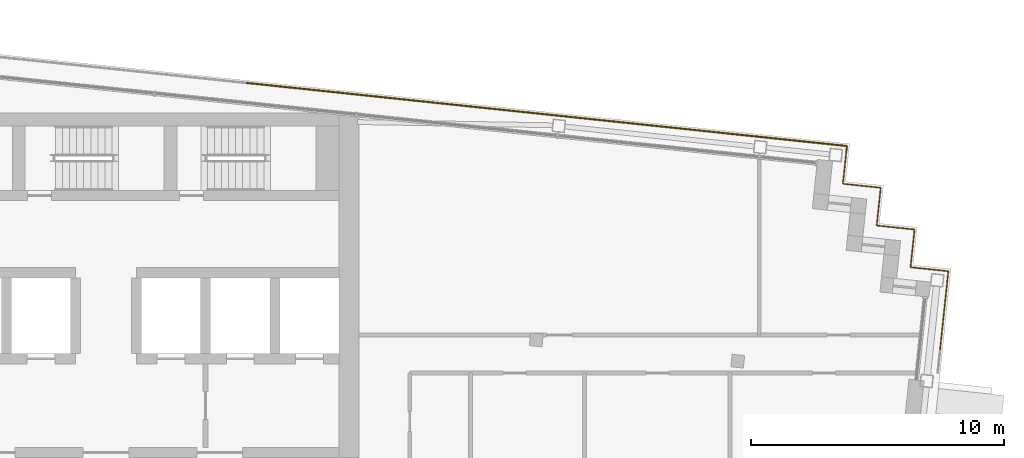
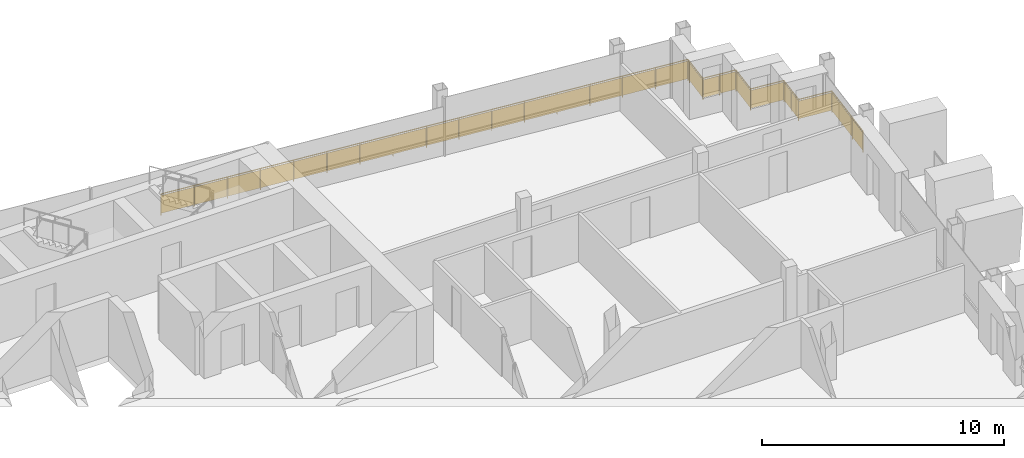
# One storey, part 16 of 16: 3 railings.
"""IFC4 building model written with IfcOpenShell, lengths in metres."""

from ifc_helpers import new_model, si_unit, direction, frame, origin, origin_2d, place, context, subcontext, project, spatial, rectangle, circle, extrude, material, type_object, element, save


model = new_model("IFC4")

# Units and contexts
model_context = context("Model", 3, precision=1e-05, world=origin(), true_north=direction((0.0, 1.0)))
body_context = subcontext(model_context, "Body", "Model", "MODEL_VIEW")
ifc_project = project(units=[si_unit("LENGTHUNIT", "METRE"), si_unit("AREAUNIT", "SQUARE_METRE"), si_unit("VOLUMEUNIT", "CUBIC_METRE"), si_unit("PLANEANGLEUNIT", "RADIAN"), si_unit("MASSUNIT", "GRAM", prefix="KILO")], contexts=[model_context])

# Site, building, storey
site_placement = place(None, origin())
site = spatial("IfcSite", under=ifc_project, at=site_placement, CompositionType="ELEMENT")
building_placement = place(site_placement, origin())
building = spatial("IfcBuilding", under=site, at=building_placement, Name="Vidyagriha Tower", CompositionType="ELEMENT")
storey_placement = place(building_placement, frame((0.0, 0.0, 275.5)))
storey = spatial("IfcBuildingStorey", under=building, at=storey_placement, Name="L72", CompositionType="ELEMENT", Elevation=275.5)

# Railings
ifc_material = material(Name="Steel ASTM A500 Grade C black painted", Category="steel")
railing_type = type_object("IfcRailingType", Name="Gallery guard 1100", PredefinedType="GUARDRAIL", material=ifc_material)
railing_1_placement = place(storey_placement, frame((5.55224609375, 21.196533203125, 0.0)))
element("IfcRailing", 1, at=railing_1_placement, inside=storey, type_object=railing_type, Name="Gallery guard L72 7", PredefinedType="GUARDRAIL", context=body_context, shape_type="SweptSolid", body=[
    extrude(circle(Radius=0.02490234375, at=origin_2d()), frame((0.0, 0.0, 1.0751953125), z_axis=(0.994521271903, -0.104534394972, 0.0), x_axis=(0.104534394972, 0.994521271903, 0.0)), (0.0, 0.0, 1.0), 11.999755859375),
    extrude(circle(Radius=0.02001953125, at=origin_2d()), origin(), (0.0, 0.0, 1.0), 1.050048828125),
    extrude(circle(Radius=0.02001953125, at=origin_2d()), frame((1.49169921875, -0.15673828125, 0.0)), (0.0, 0.0, 1.0), 1.050048828125),
    extrude(circle(Radius=0.02001953125, at=origin_2d()), frame((2.9833984375, -0.3134765625, 0.0)), (0.0, 0.0, 1.0), 1.050048828125),
    extrude(circle(Radius=0.02001953125, at=origin_2d()), frame((4.475341796875, -0.470458984375, 0.0)), (0.0, 0.0, 1.0), 1.050048828125),
    extrude(circle(Radius=0.02001953125, at=origin_2d()), frame((5.967041015625, -0.627197265625, 0.0)), (0.0, 0.0, 1.0), 1.050048828125),
    extrude(circle(Radius=0.02001953125, at=origin_2d()), frame((7.458740234375, -0.783935546875, 0.0)), (0.0, 0.0, 1.0), 1.050048828125),
    extrude(circle(Radius=0.02001953125, at=origin_2d()), frame((8.95068359375, -0.94091796875, 0.0)), (0.0, 0.0, 1.0), 1.050048828125),
    extrude(circle(Radius=0.02001953125, at=origin_2d()), frame((10.4423828125, -1.09765625, 0.0)), (0.0, 0.0, 1.0), 1.050048828125),
    extrude(circle(Radius=0.02001953125, at=origin_2d()), frame((11.93408203125, -1.25439453125, 0.0)), (0.0, 0.0, 1.0), 1.050048828125),
    extrude(rectangle(XDim=0.010009765625, YDim=0.900146484375, at=origin_2d()), frame((0.0, 0.0, 0.550048828125), z_axis=(0.994521271903, -0.104534394972, 0.0), x_axis=(0.104534394972, 0.994521271903, 0.0)), (0.0, 0.0, 1.0), 11.999755859375),
])
railing_2_placement = place(storey_placement, frame((17.486328125, 19.942138671875, 0.0)))
element("IfcRailing", 2, at=railing_2_placement, inside=storey, type_object=railing_type, Name="Gallery guard L72 8", PredefinedType="GUARDRAIL", context=body_context, shape_type="SweptSolid", body=[
    extrude(circle(Radius=0.02490234375, at=origin_2d()), frame((0.0, 0.0, 1.0751953125), z_axis=(0.994522500633, -0.104522704396, 0.0), x_axis=(0.104522704396, 0.994522500633, 0.0)), (0.0, 0.0, 1.0), 11.840087890625),
    extrude(circle(Radius=0.02490234375, at=origin_2d()), frame((11.775146484375, -1.237548828125, 1.0751953125), z_axis=(-0.105240535143, -0.994446795843, 0.0), x_axis=(0.994446795843, -0.105240535143, 0.0)), (0.0, 0.0, 1.0), 0.16015625),
    extrude(circle(Radius=0.02001953125, at=origin_2d()), origin(), (0.0, 0.0, 1.0), 1.050048828125),
    extrude(circle(Radius=0.02001953125, at=origin_2d()), frame((1.471923828125, -0.15478515625, 0.0)), (0.0, 0.0, 1.0), 1.050048828125),
    extrude(circle(Radius=0.02001953125, at=origin_2d()), frame((2.94384765625, -0.309326171875, 0.0)), (0.0, 0.0, 1.0), 1.050048828125),
    extrude(circle(Radius=0.02001953125, at=origin_2d()), frame((4.415771484375, -0.464111328125, 0.0)), (0.0, 0.0, 1.0), 1.050048828125),
    extrude(circle(Radius=0.02001953125, at=origin_2d()), frame((5.8876953125, -0.61865234375, 0.0)), (0.0, 0.0, 1.0), 1.050048828125),
    extrude(circle(Radius=0.02001953125, at=origin_2d()), frame((7.359375, -0.7734375, 0.0)), (0.0, 0.0, 1.0), 1.050048828125),
    extrude(circle(Radius=0.02001953125, at=origin_2d()), frame((8.831298828125, -0.92822265625, 0.0)), (0.0, 0.0, 1.0), 1.050048828125),
    extrude(circle(Radius=0.02001953125, at=origin_2d()), frame((10.30322265625, -1.082763671875, 0.0)), (0.0, 0.0, 1.0), 1.050048828125),
    extrude(circle(Radius=0.02001953125, at=origin_2d()), frame((11.775146484375, -1.237548828125, 0.0)), (0.0, 0.0, 1.0), 1.050048828125),
    extrude(circle(Radius=0.02001953125, at=origin_2d()), frame((11.75830078125, -1.396728515625, 0.0)), (0.0, 0.0, 1.0), 1.050048828125),
    extrude(rectangle(XDim=0.010009765625, YDim=0.900146484375, at=origin_2d()), frame((0.0, 0.0, 0.550048828125), z_axis=(0.994522500633, -0.104522704396, 0.0), x_axis=(0.104522704396, 0.994522500633, 0.0)), (0.0, 0.0, 1.0), 11.840087890625),
    extrude(rectangle(XDim=0.010009765625, YDim=0.900146484375, at=origin_2d()), frame((11.775146484375, -1.237548828125, 0.550048828125), z_axis=(-0.105240535143, -0.994446795843, 0.0), x_axis=(0.994446795843, -0.105240535143, 0.0)), (0.0, 0.0, 1.0), 0.16015625),
])
railing_3_placement = place(storey_placement, frame((29.24462890625, 18.54541015625, 0.0)))
element("IfcRailing", 3, at=railing_3_placement, inside=storey, type_object=railing_type, Name="Gallery guard L72 9", PredefinedType="GUARDRAIL", context=body_context, shape_type="SweptSolid", body=[
    extrude(circle(Radius=0.02490234375, at=origin_2d()), frame((0.0, 0.0, 1.0751953125), z_axis=(-0.104589933737, -0.994515432641, 0.0), x_axis=(0.994515432641, -0.104589933737, 0.0)), (0.0, 0.0, 1.0), 1.33984375),
    extrude(circle(Radius=0.02490234375, at=origin_2d()), frame((-0.14013671875, -1.33251953125, 1.0751953125), z_axis=(0.994509910675, -0.104642427191, 0.0), x_axis=(0.104642427191, 0.994509910675, 0.0)), (0.0, 0.0, 1.0), 1.500244140625),
    extrude(circle(Radius=0.02490234375, at=origin_2d()), frame((1.351806640625, -1.489501953125, 1.0751953125), z_axis=(-0.104498377516, -0.994525057048, 0.0), x_axis=(0.994525057048, -0.104498377516, 0.0)), (0.0, 0.0, 1.0), 1.5),
    extrude(circle(Radius=0.02490234375, at=origin_2d()), frame((1.195068359375, -2.981201171875, 1.0751953125), z_axis=(0.994525057048, -0.104498377516, 0.0), x_axis=(0.104498377516, 0.994525057048, 0.0)), (0.0, 0.0, 1.0), 1.5),
    extrude(circle(Radius=0.02490234375, at=origin_2d()), frame((2.686767578125, -3.137939453125, 1.0751953125), z_axis=(-0.104481464157, -0.994526834051, 0.0), x_axis=(0.994526834051, -0.104481464157, 0.0)), (0.0, 0.0, 1.0), 1.500244140625),
    extrude(circle(Radius=0.02490234375, at=origin_2d()), frame((2.530029296875, -4.6298828125, 1.0751953125), z_axis=(0.994525057048, -0.104498377516, 0.0), x_axis=(0.104498377516, 0.994525057048, 0.0)), (0.0, 0.0, 1.0), 1.5),
    extrude(circle(Radius=0.02490234375, at=origin_2d()), frame((4.021728515625, -4.78662109375, 1.0751953125), z_axis=(-0.104527942092, -0.994521950146, 0.0), x_axis=(0.994521950146, -0.104527942092, 0.0)), (0.0, 0.0, 1.0), 3.16015625),
    extrude(circle(Radius=0.02001953125, at=origin_2d()), origin(), (0.0, 0.0, 1.0), 1.050048828125),
    extrude(circle(Radius=0.02001953125, at=origin_2d()), frame((-0.14013671875, -1.33251953125, 0.0)), (0.0, 0.0, 1.0), 1.050048828125),
    extrude(circle(Radius=0.02001953125, at=origin_2d()), frame((0.60595703125, -1.4111328125, 0.0)), (0.0, 0.0, 1.0), 1.050048828125),
    extrude(circle(Radius=0.02001953125, at=origin_2d()), frame((1.351806640625, -1.489501953125, 0.0)), (0.0, 0.0, 1.0), 1.050048828125),
    extrude(circle(Radius=0.02001953125, at=origin_2d()), frame((1.195068359375, -2.981201171875, 0.0)), (0.0, 0.0, 1.0), 1.050048828125),
    extrude(circle(Radius=0.02001953125, at=origin_2d()), frame((2.686767578125, -3.137939453125, 0.0)), (0.0, 0.0, 1.0), 1.050048828125),
    extrude(circle(Radius=0.02001953125, at=origin_2d()), frame((2.6083984375, -3.8837890625, 0.0)), (0.0, 0.0, 1.0), 1.050048828125),
    extrude(circle(Radius=0.02001953125, at=origin_2d()), frame((2.530029296875, -4.6298828125, 0.0)), (0.0, 0.0, 1.0), 1.050048828125),
    extrude(circle(Radius=0.02001953125, at=origin_2d()), frame((4.021728515625, -4.78662109375, 0.0)), (0.0, 0.0, 1.0), 1.050048828125),
    extrude(circle(Radius=0.02001953125, at=origin_2d()), frame((3.91162109375, -5.834228515625, 0.0)), (0.0, 0.0, 1.0), 1.050048828125),
    extrude(circle(Radius=0.02001953125, at=origin_2d()), frame((3.801513671875, -6.8818359375, 0.0)), (0.0, 0.0, 1.0), 1.050048828125),
    extrude(circle(Radius=0.02001953125, at=origin_2d()), frame((3.69140625, -7.929443359375, 0.0)), (0.0, 0.0, 1.0), 1.050048828125),
    extrude(rectangle(XDim=0.010009765625, YDim=0.900146484375, at=origin_2d()), frame((0.0, 0.0, 0.550048828125), z_axis=(-0.104589933737, -0.994515432641, 0.0), x_axis=(0.994515432641, -0.104589933737, 0.0)), (0.0, 0.0, 1.0), 1.33984375),
    extrude(rectangle(XDim=0.010009765625, YDim=0.900146484375, at=origin_2d()), frame((-0.14013671875, -1.33251953125, 0.550048828125), z_axis=(0.994509910675, -0.104642427191, 0.0), x_axis=(0.104642427191, 0.994509910675, 0.0)), (0.0, 0.0, 1.0), 1.500244140625),
    extrude(rectangle(XDim=0.010009765625, YDim=0.900146484375, at=origin_2d()), frame((1.351806640625, -1.489501953125, 0.550048828125), z_axis=(-0.104498377516, -0.994525057048, 0.0), x_axis=(0.994525057048, -0.104498377516, 0.0)), (0.0, 0.0, 1.0), 1.5),
    extrude(rectangle(XDim=0.010009765625, YDim=0.900146484375, at=origin_2d()), frame((1.195068359375, -2.981201171875, 0.550048828125), z_axis=(0.994525057048, -0.104498377516, 0.0), x_axis=(0.104498377516, 0.994525057048, 0.0)), (0.0, 0.0, 1.0), 1.5),
    extrude(rectangle(XDim=0.010009765625, YDim=0.900146484375, at=origin_2d()), frame((2.686767578125, -3.137939453125, 0.550048828125), z_axis=(-0.104481464157, -0.994526834051, 0.0), x_axis=(0.994526834051, -0.104481464157, 0.0)), (0.0, 0.0, 1.0), 1.500244140625),
    extrude(rectangle(XDim=0.010009765625, YDim=0.900146484375, at=origin_2d()), frame((2.530029296875, -4.6298828125, 0.550048828125), z_axis=(0.994525057048, -0.104498377516, 0.0), x_axis=(0.104498377516, 0.994525057048, 0.0)), (0.0, 0.0, 1.0), 1.5),
    extrude(rectangle(XDim=0.010009765625, YDim=0.900146484375, at=origin_2d()), frame((4.021728515625, -4.78662109375, 0.550048828125), z_axis=(-0.104527942092, -0.994521950146, 0.0), x_axis=(0.994521950146, -0.104527942092, 0.0)), (0.0, 0.0, 1.0), 3.16015625),
])

save(model, "model.ifc")
